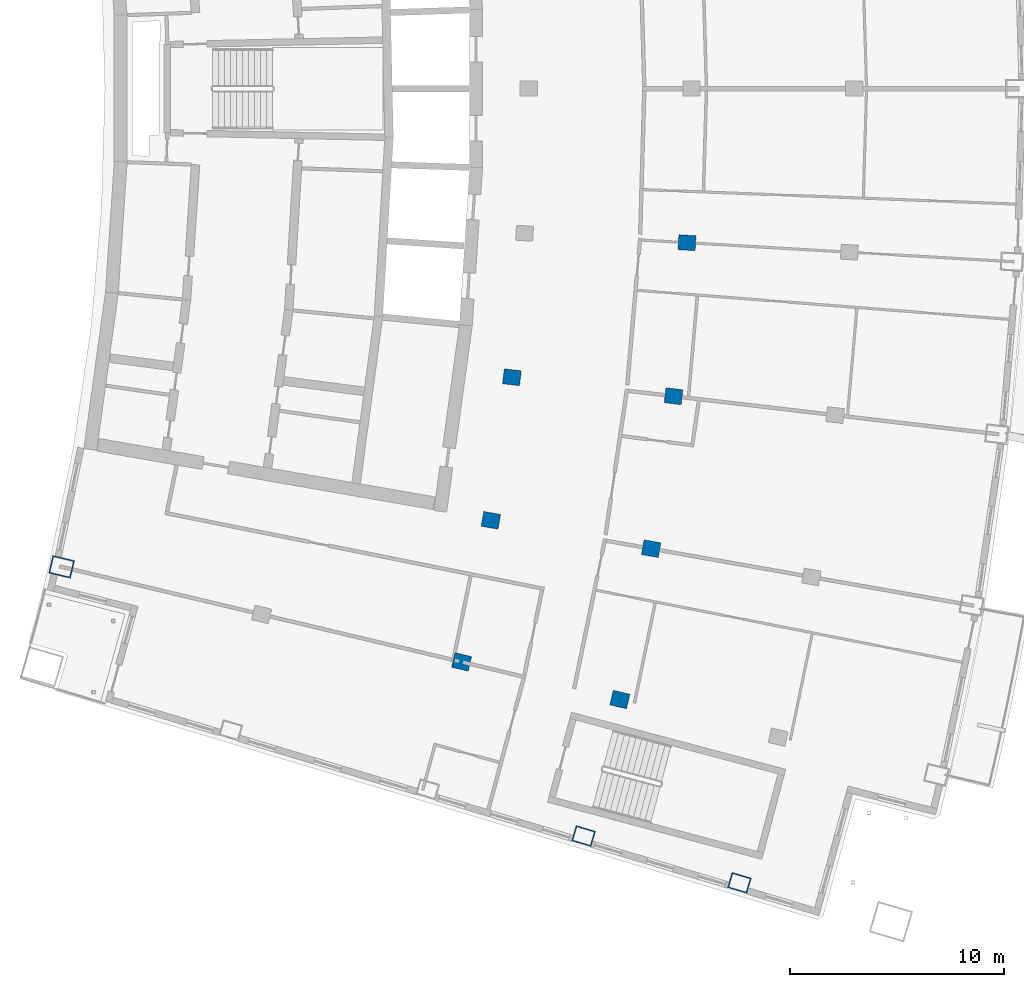
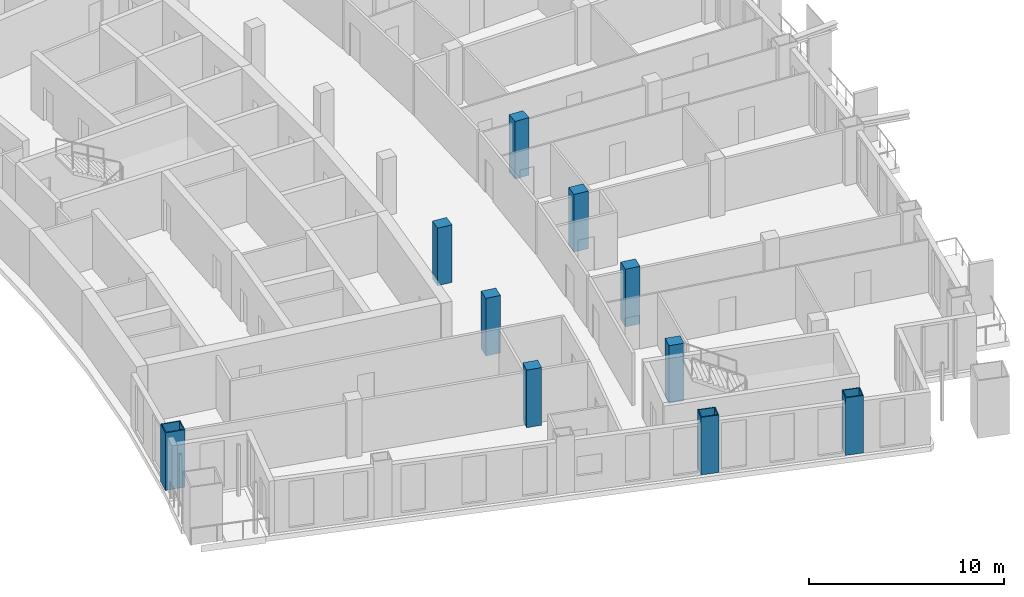
# One storey, part 2 of 19: 10 columns.
"""IFC4 building model written with IfcOpenShell, lengths in metres."""

from ifc_helpers import new_model, si_unit, direction, frame, origin, origin_2d, place, context, subcontext, project, spatial, rectangle, hollow_rectangle, extrude, material, material_profile, profile_set, type_object, element, save


model = new_model("IFC4")

# Units and contexts
model_context = context("Model", 3, precision=1e-05, world=origin(), true_north=direction((0.0, 1.0)))
body_context = subcontext(model_context, "Body", "Model", "MODEL_VIEW")
ifc_project = project(units=[si_unit("LENGTHUNIT", "METRE"), si_unit("AREAUNIT", "SQUARE_METRE"), si_unit("VOLUMEUNIT", "CUBIC_METRE"), si_unit("PLANEANGLEUNIT", "RADIAN"), si_unit("MASSUNIT", "GRAM", prefix="KILO")], contexts=[model_context])

# Site, building, storey
site_placement = place(None, origin())
site = spatial("IfcSite", under=ifc_project, at=site_placement, CompositionType="ELEMENT")
building_placement = place(site_placement, origin())
building = spatial("IfcBuilding", under=site, at=building_placement, Name="Alderwake Tower", CompositionType="ELEMENT")
storey_placement = place(building_placement, frame((0.0, 0.0, 192.800048828125)))
storey = spatial("IfcBuildingStorey", under=building, at=storey_placement, Name="L47", CompositionType="ELEMENT", Elevation=192.800048828125)

# Columns
ifc_material_1 = material(Name="Steel ASTM A572 Grade 50 concrete filled C70/85", Category="concrete")
ifc_material_profile_1 = material_profile(ifc_material_1, hollow_rectangle(XDim=0.75, YDim=0.949951171875, WallThickness=0.054931640625, at=origin_2d()), Name="BOX 950X750X55")
ifc_profile_set_1 = profile_set([ifc_material_profile_1], Name="Steel ASTM A572 Grade 50 concrete filled C70/85")
column_type_1 = type_object("IfcColumnType", Name="End column Z4", PredefinedType="COLUMN", material=ifc_profile_set_1)
for number, where, z_axis, x_axis, name in (
    (1, (38.359619140625, 26.091552734375, 0.0), (0.0, 0.0, 1.0), (0.282888913059, 0.959152679644, 0.0), "Column R02-C3"),
    (2, (45.638671875, 23.906005859375, 0.0), (0.0, 0.0, 1.0), (0.283160095779, 0.95907265635, 0.0), "Column R02-C4"),
):
    element("IfcColumn", number, at=place(storey_placement, frame(where, z_axis=z_axis, x_axis=x_axis)), inside=storey, type_object=column_type_1, Name=name, PredefinedType="COLUMN", context=body_context, shape_type="SweptSolid", body=[
        extrude(hollow_rectangle(XDim=0.75, YDim=0.949951171875, WallThickness=0.054931640625, at=origin_2d()), origin(), (0.0, 0.0, 1.0), 3.599853515625),
    ])
ifc_material_2 = material(Name="Concrete C70/85", Category="concrete")
ifc_material_profile_2 = material_profile(ifc_material_2, rectangle(XDim=0.699951171875, YDim=0.800048828125, at=origin_2d()), Name="RC 800X700")
ifc_profile_set_2 = profile_set([ifc_material_profile_2], Name="Concrete C70/85")
column_type_2 = type_object("IfcColumnType", Name="Interior column Z4", PredefinedType="COLUMN", material=ifc_profile_set_2)
for number, where, z_axis, x_axis, name in (
    (3, (32.661865234375, 34.224609375, 0.0), (0.0, 0.0, 1.0), (0.231221547198, 0.972901123502, 0.0), "Column R03-C2"),
    (4, (40.055908203125, 32.46728515625, 0.0), (0.0, 0.0, 1.0), (0.231221547198, 0.972901123502, 0.0), "Column R03-C3"),
    (5, (34.03125, 40.83837890625, 0.0), (0.0, 0.0, 1.0), (0.174108800747, 0.984726421654, 0.0), "Column R04-C2"),
    (6, (41.515380859375, 39.51513671875, 0.0), (0.0, 0.0, 1.0), (0.174107082075, 0.984726725529, 0.0), "Column R04-C3"),
    (7, (35.0126953125, 47.5205078125, 0.0), (0.0, 0.0, 1.0), (0.116402054316, 0.993202175668, 0.0), "Column R05-C2"),
    (8, (42.56103515625, 46.635986328125, 0.0), (0.0, 0.0, 1.0), (0.116402054316, 0.993202175668, 0.0), "Column R05-C3"),
    (9, (43.190185546875, 53.8056640625, 0.0), (0.0, 0.0, 1.0), (0.058301061284, 0.998299046505, 0.0), "Column R06-C3"),
):
    element("IfcColumn", number, at=place(storey_placement, frame(where, z_axis=z_axis, x_axis=x_axis)), inside=storey, type_object=column_type_2, Name=name, PredefinedType="COLUMN", context=body_context, shape_type="SweptSolid", body=[
        extrude(rectangle(XDim=0.699951171875, YDim=0.800048828125, at=origin_2d()), origin(), (0.0, 0.0, 1.0), 3.599853515625),
    ])
ifc_material_3 = material(Name="Steel ASTM A572 Grade 50 concrete filled C70/85", Category="concrete")
ifc_material_profile_3 = material_profile(ifc_material_3, hollow_rectangle(XDim=0.85009765625, YDim=1.050048828125, WallThickness=0.054931640625, at=origin_2d()), Name="BOX 1050X850X55")
ifc_profile_set_3 = profile_set([ifc_material_profile_3], Name="Steel ASTM A572 Grade 50 concrete filled C70/85")
column_type_3 = type_object("IfcColumnType", Name="Perimeter column Z4", PredefinedType="COLUMN", material=ifc_profile_set_3)
column_placement = place(storey_placement, frame((13.982177734375, 38.6640625, 0.0), z_axis=(0.0, 0.0, 1.0), x_axis=(0.231221547198, 0.972901123502, 0.0)))
element("IfcColumn", 10, at=column_placement, inside=storey, type_object=column_type_3, Name="Column R03-C0", PredefinedType="COLUMN", context=body_context, shape_type="SweptSolid", body=[
    extrude(hollow_rectangle(XDim=0.85009765625, YDim=1.050048828125, WallThickness=0.054931640625, at=origin_2d()), origin(), (0.0, 0.0, 1.0), 3.599853515625),
])

save(model, "model.ifc")
